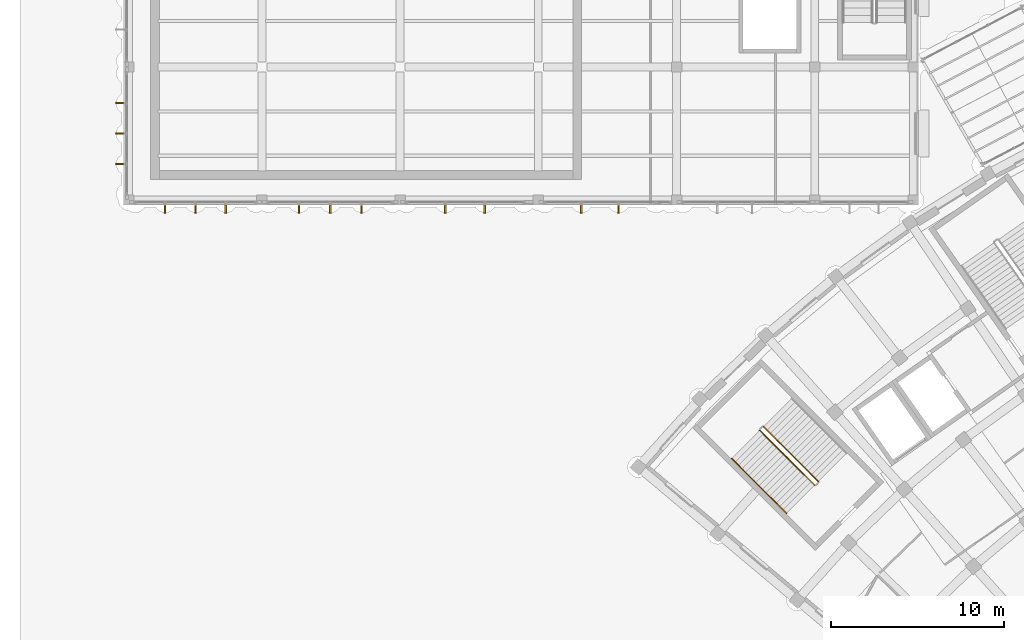
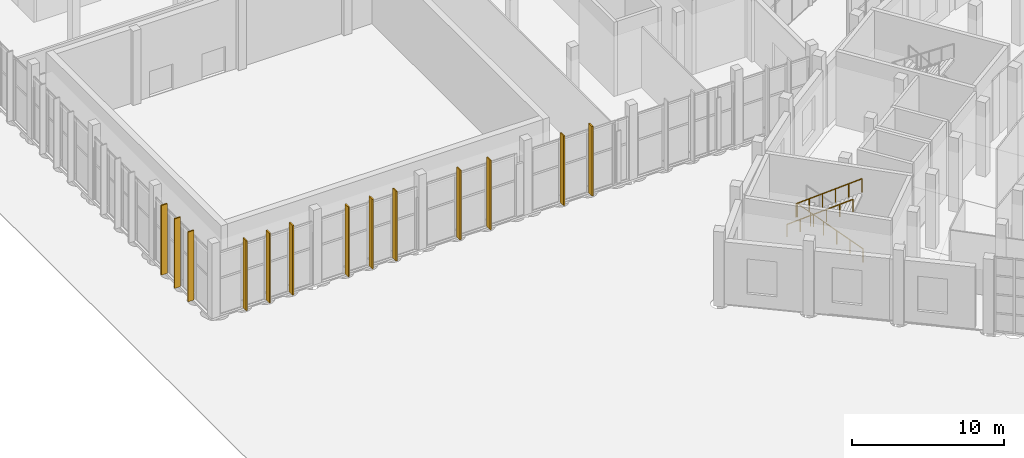
# One storey, part 117 of 155: 13 shading devices, 3 railings.
"""IFC4 building model written with IfcOpenShell, lengths in metres."""

from ifc_helpers import new_model, si_unit, direction, frame, origin, origin_2d, place, context, subcontext, project, spatial, rectangle, circle, extrude, material, type_object, element, save


model = new_model("IFC4")

# Units and contexts
model_context = context("Model", 3, precision=1e-05, world=origin(), true_north=direction((0.0, 1.0)))
body_context = subcontext(model_context, "Body", "Model", "MODEL_VIEW")
ifc_project = project(units=[si_unit("LENGTHUNIT", "METRE"), si_unit("AREAUNIT", "SQUARE_METRE"), si_unit("VOLUMEUNIT", "CUBIC_METRE"), si_unit("PLANEANGLEUNIT", "RADIAN"), si_unit("MASSUNIT", "GRAM", prefix="KILO")], contexts=[model_context])

# Site, building, storey
site_placement = place(None, origin())
site = spatial("IfcSite", under=ifc_project, at=site_placement, CompositionType="ELEMENT")
building_placement = place(site_placement, origin())
building = spatial("IfcBuilding", under=site, at=building_placement, Name="Lunette Opera House", CompositionType="ELEMENT")
storey_placement = place(building_placement, origin())
storey = spatial("IfcBuildingStorey", under=building, at=storey_placement, Name="L00", CompositionType="ELEMENT", Elevation=0.0)

# Shading devices
ifc_material_1 = material(Name="Powder-coated aluminium", Category="aluminium")
shading_device_type = type_object("IfcShadingDeviceType", Name="SOLAR FIN 100 X 450", PredefinedType="USERDEFINED", material=ifc_material_1)
for number, where, z_axis, x_axis, name in (
    (1, (7.76708984375, 69.909912109375, 0.114501953125), (0.0, 0.0, 1.0), (-1.0, 0.0, 0.0), "Solar fin RW-X2006 1"),
    (2, (7.76708984375, 68.14990234375, 0.114501953125), (0.0, 0.0, 1.0), (-1.0, 0.0, 0.0), "Solar fin RW-X2006 2"),
    (3, (7.76708984375, 66.389892578125, 0.114501953125), (0.0, 0.0, 1.0), (-1.0, 0.0, 0.0), "Solar fin RW-X2006 3"),
    (4, (10.389892578125, 63.76806640625, 0.114501953125), (0.0, 0.0, 1.0), (0.0, -1.0, 0.0), "Solar fin RW-X2007 1"),
    (5, (12.14990234375, 63.76806640625, 0.114501953125), (0.0, 0.0, 1.0), (0.0, -1.0, 0.0), "Solar fin RW-X2007 2"),
    (6, (13.909912109375, 63.76806640625, 0.114501953125), (0.0, 0.0, 1.0), (0.0, -1.0, 0.0), "Solar fin RW-X2007 3"),
    (7, (18.14208984375, 63.76806640625, 0.114501953125), (0.0, 0.0, 1.0), (0.0, -1.0, 0.0), "Solar fin RW-X2008 1"),
    (8, (19.952880859375, 63.76806640625, 0.114501953125), (0.0, 0.0, 1.0), (0.0, -1.0, 0.0), "Solar fin RW-X2008 2"),
    (9, (21.764892578125, 63.76806640625, 0.114501953125), (0.0, 0.0, 1.0), (0.0, -1.0, 0.0), "Solar fin RW-X2008 3"),
    (10, (26.614013671875, 63.76806640625, 0.114501953125), (0.0, 0.0, 1.0), (0.0, -1.0, 0.0), "Solar fin RW-X2009 1"),
    (11, (28.89892578125, 63.76806640625, 0.114501953125), (0.0, 0.0, 1.0), (0.0, -1.0, 0.0), "Solar fin RW-X2009 2"),
    (12, (34.48291015625, 63.76806640625, 0.114501953125), (0.0, 0.0, 1.0), (0.0, -1.0, 0.0), "Solar fin RW-X2010 1"),
    (13, (36.635009765625, 63.76806640625, 0.114501953125), (0.0, 0.0, 1.0), (0.0, -1.0, 0.0), "Solar fin RW-X2010 2"),
):
    element("IfcShadingDevice", number, at=place(storey_placement, frame(where, z_axis=z_axis, x_axis=x_axis)), inside=storey, type_object=shading_device_type, Name=name, ObjectType="SOLAR FIN", PredefinedType="USERDEFINED", context=body_context, shape_type="SweptSolid", body=[
        extrude(rectangle(XDim=0.449951171875, YDim=0.10009765625, at=origin_2d()), origin(), (0.0, 0.0, 1.0), 5.5849609375),
    ])

# Railings
ifc_material_2 = material(Name="Steel S355", Category="steel")
railing_type_1 = type_object("IfcRailingType", Name="STAIR GUARD 1100", PredefinedType="GUARDRAIL", material=ifc_material_2)
railing_1_placement = place(storey_placement, frame((48.199951171875, 48.012451171875, 0.176513671875)))
element("IfcRailing", 14, at=railing_1_placement, inside=storey, type_object=railing_type_1, Name="L00 ST1 stair guard 1", PredefinedType="GUARDRAIL", context=body_context, shape_type="SweptSolid", body=[
    extrude(circle(Radius=0.02392578125, at=origin_2d()), frame((0.0, 0.0, 1.076171875), z_axis=(-0.598205512604, 0.598205512604, 0.533198208344), x_axis=(-0.707106781187, -0.707106781187, 0.0)), (0.0, 0.0, 1.0), 5.29541015625),
    extrude(circle(Radius=0.02099609375, at=origin_2d()), origin(), (0.0, 0.0, 1.0), 1.052001953125),
    extrude(circle(Radius=0.02099609375, at=origin_2d()), frame((-0.633544921875, 0.633544921875, 0.564697265625)), (0.0, 0.0, 1.0), 1.052001953125),
    extrude(circle(Radius=0.02099609375, at=origin_2d()), frame((-1.26708984375, 1.26708984375, 1.12939453125)), (0.0, 0.0, 1.0), 1.052001953125),
    extrude(circle(Radius=0.02099609375, at=origin_2d()), frame((-1.900634765625, 1.900634765625, 1.694091796875)), (0.0, 0.0, 1.0), 1.052001953125),
    extrude(circle(Radius=0.02099609375, at=origin_2d()), frame((-2.5341796875, 2.5341796875, 2.2587890625)), (0.0, 0.0, 1.0), 1.052001953125),
    extrude(circle(Radius=0.02099609375, at=origin_2d()), frame((-3.167724609375, 3.167724609375, 2.823486328125)), (0.0, 0.0, 1.0), 1.052001953125),
])
railing_2_placement = place(storey_placement, frame((44.81982421875, 50.9677734375, 3.176513671875)))
element("IfcRailing", 15, at=railing_2_placement, inside=storey, type_object=railing_type_1, Name="L00 ST1 stair guard 3", PredefinedType="GUARDRAIL", context=body_context, shape_type="SweptSolid", body=[
    extrude(circle(Radius=0.02392578125, at=origin_2d()), frame((0.0, 0.0, 1.076171875), z_axis=(0.598205512604, -0.598205512604, 0.533198208344), x_axis=(0.707106781187, 0.707106781187, 0.0)), (0.0, 0.0, 1.0), 5.29541015625),
    extrude(circle(Radius=0.02099609375, at=origin_2d()), origin(), (0.0, 0.0, 1.0), 1.052001953125),
    extrude(circle(Radius=0.02099609375, at=origin_2d()), frame((0.633544921875, -0.633544921875, 0.564697265625)), (0.0, 0.0, 1.0), 1.052001953125),
    extrude(circle(Radius=0.02099609375, at=origin_2d()), frame((1.26708984375, -1.26708984375, 1.12939453125)), (0.0, 0.0, 1.0), 1.052001953125),
    extrude(circle(Radius=0.02099609375, at=origin_2d()), frame((1.900634765625, -1.900634765625, 1.694091796875)), (0.0, 0.0, 1.0), 1.052001953125),
    extrude(circle(Radius=0.02099609375, at=origin_2d()), frame((2.5341796875, -2.5341796875, 2.2587890625)), (0.0, 0.0, 1.0), 1.052001953125),
    extrude(circle(Radius=0.02099609375, at=origin_2d()), frame((3.167724609375, -3.167724609375, 2.823486328125)), (0.0, 0.0, 1.0), 1.052001953125),
])
ifc_material_3 = material(Name="Steel S355", Category="steel")
railing_type_2 = type_object("IfcRailingType", Name="STAIR HANDRAIL 1000", PredefinedType="HANDRAIL", material=ifc_material_3)
railing_3_placement = place(storey_placement, frame((43.193359375, 49.341552734375, 3.176513671875)))
element("IfcRailing", 16, at=railing_3_placement, inside=storey, type_object=railing_type_2, Name="L00 ST1 stair handrail 2", PredefinedType="HANDRAIL", context=body_context, shape_type="SweptSolid", body=[
    extrude(circle(Radius=0.02392578125, at=origin_2d()), frame((0.0, 0.0, 0.97607421875), z_axis=(0.598218619036, -0.598218619036, 0.533168798485), x_axis=(0.707106781187, 0.707106781187, 0.0)), (0.0, 0.0, 1.0), 5.295654296875),
    extrude(circle(Radius=0.02099609375, at=origin_2d()), origin(), (0.0, 0.0, 1.0), 0.951904296875),
    extrude(circle(Radius=0.02099609375, at=origin_2d()), frame((0.633544921875, -0.633544921875, 0.564697265625)), (0.0, 0.0, 1.0), 0.951904296875),
    extrude(circle(Radius=0.02099609375, at=origin_2d()), frame((1.26708984375, -1.26708984375, 1.12939453125)), (0.0, 0.0, 1.0), 0.951904296875),
    extrude(circle(Radius=0.02099609375, at=origin_2d()), frame((1.90087890625, -1.90087890625, 1.694091796875)), (0.0, 0.0, 1.0), 0.951904296875),
    extrude(circle(Radius=0.02099609375, at=origin_2d()), frame((2.534423828125, -2.534423828125, 2.2587890625)), (0.0, 0.0, 1.0), 0.951904296875),
    extrude(circle(Radius=0.02099609375, at=origin_2d()), frame((3.16796875, -3.16796875, 2.823486328125)), (0.0, 0.0, 1.0), 0.951904296875),
])

save(model, "model.ifc")
